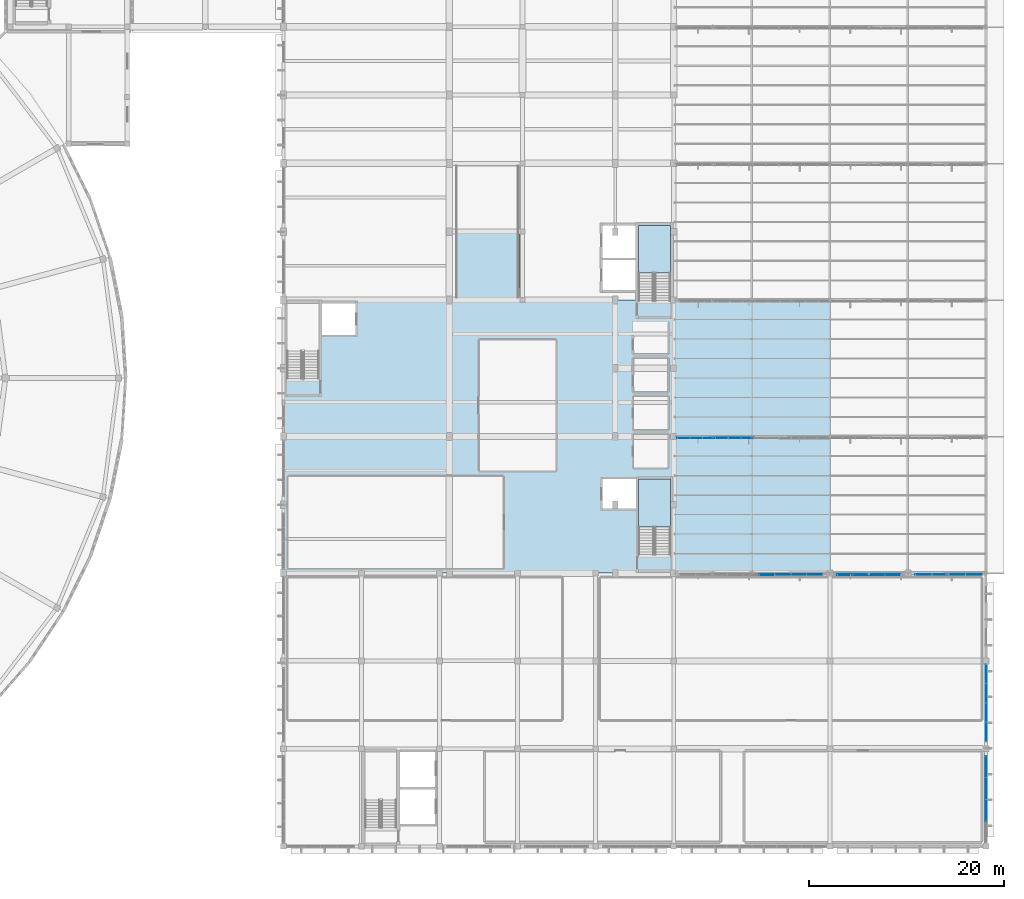
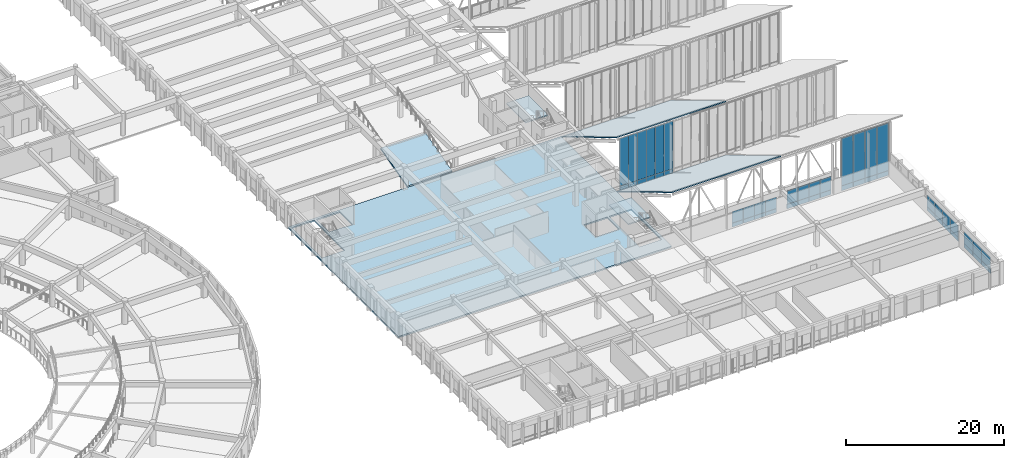
# One storey, part 78 of 155: 50 plates, 6 slabs, 12 elements without a shape of their own.
"""IFC4 building model written with IfcOpenShell, lengths in metres."""

from ifc_helpers import new_model, si_unit, direction, frame, origin, origin_2d, place, context, subcontext, project, spatial, polyline, rectangle, outline, extrude, material, layer, layer_set, type_object, element, aggregate, save


model = new_model("IFC4")

# Units and contexts
model_context = context("Model", 3, precision=1e-05, world=origin(), true_north=direction((0.0, 1.0)))
body_context = subcontext(model_context, "Body", "Model", "MODEL_VIEW")
ifc_project = project(units=[si_unit("LENGTHUNIT", "METRE"), si_unit("AREAUNIT", "SQUARE_METRE"), si_unit("VOLUMEUNIT", "CUBIC_METRE"), si_unit("PLANEANGLEUNIT", "RADIAN"), si_unit("MASSUNIT", "GRAM", prefix="KILO")], contexts=[model_context])

# Site, building, storey
site_placement = place(None, origin())
site = spatial("IfcSite", under=ifc_project, at=site_placement, CompositionType="ELEMENT")
building_placement = place(site_placement, origin())
building = spatial("IfcBuilding", under=site, at=building_placement, Name="Larkveld Mobility Hub", CompositionType="ELEMENT")
storey_placement = place(building_placement, frame((0.0, 0.0, 8.39990234375)))
storey = spatial("IfcBuildingStorey", under=building, at=storey_placement, Name="L02", CompositionType="ELEMENT", Elevation=8.39990234375)

# Curtain wall, plate
ifc_material_1 = material(Name="Anodised aluminium 6063-T6", Category="aluminium")
curtain_wall_type_1 = type_object("IfcCurtainWallType", Name="CW-SYS-10", PredefinedType="NOTDEFINED", material=ifc_material_1)
curtain_wall_1_placement = place(storey_placement, origin())
curtain_wall_1 = element("IfcCurtainWall", 1, at=curtain_wall_1_placement, inside=storey, type_object=curtain_wall_type_1, Name="Sawtooth South-Light Clerestory B1 CW-010", PredefinedType="NOTDEFINED")
ifc_material_2 = material(Name="Low-E laminated solar-control double glazing", Category="glass")
ifc_layer_1 = layer(ifc_material_2, 0.028076171875, Name="Low-E laminated solar-control double glazing", Category="glass")
ifc_layer_set_1 = layer_set([ifc_layer_1], Name="Low-E laminated solar-control double glazing")
plate_type_1 = type_object("IfcPlateType", Name="CW-PNL-GL01", PredefinedType="CURTAIN_PANEL", material=ifc_layer_set_1)
plate_1_placement = place(storey_placement, frame((161.541015625, 27.844970703125, 0.60205078125), z_axis=(0.0, 0.0, 1.0), x_axis=(1.0, 0.0, 0.0)))
plate_1 = element("IfcPlate", 2, at=plate_1_placement, type_object=plate_type_1, Name="CW10 panel 3", PredefinedType="CURTAIN_PANEL", context=body_context, shape_type="SweptSolid", body=[
    extrude(rectangle(XDim=1.60107421875, YDim=0.028076171875, at=origin_2d()), origin(), (0.0, 0.0, 1.0), 1.77587890625),
])

# Curtain wall, plates
curtain_wall_type_2 = type_object("IfcCurtainWallType", Name="CW-SYS-01", PredefinedType="NOTDEFINED", material=ifc_material_1)
curtain_wall_2_placement = place(storey_placement, origin())
curtain_wall_2 = element("IfcCurtainWall", 3, at=curtain_wall_2_placement, inside=storey, type_object=curtain_wall_type_2, Name="Sawtooth South-Light Clerestory B1 CW-013", PredefinedType="NOTDEFINED")
plate_2_placement = place(storey_placement, frame((177.614013671875, 27.844970703125, 0.75), z_axis=(0.0, 0.0, 1.0), x_axis=(1.0, 0.0, 0.0)))
plate_2 = element("IfcPlate", 4, at=plate_2_placement, type_object=plate_type_1, Name="CW01 panel 1", PredefinedType="CURTAIN_PANEL", context=body_context, shape_type="SweptSolid", body=[
    extrude(rectangle(XDim=1.697998046875, YDim=0.028076171875, at=origin_2d()), origin(), (0.0, 0.0, 1.0), 7.367919921875),
])
plate_3_placement = place(storey_placement, frame((179.33203125, 27.844970703125, 0.75), z_axis=(0.0, 0.0, 1.0), x_axis=(1.0, 0.0, 0.0)))
plate_3 = element("IfcPlate", 5, at=plate_3_placement, type_object=plate_type_1, Name="CW01 panel 2", PredefinedType="CURTAIN_PANEL", context=body_context, shape_type="SweptSolid", body=[
    extrude(rectangle(XDim=1.718017578125, YDim=0.028076171875, at=origin_2d()), origin(), (0.0, 0.0, 1.0), 7.367919921875),
])
plate_4_placement = place(storey_placement, frame((181.05908203125, 27.844970703125, 0.75), z_axis=(0.0, 0.0, 1.0), x_axis=(1.0, 0.0, 0.0)))
plate_4 = element("IfcPlate", 6, at=plate_4_placement, type_object=plate_type_1, Name="CW01 panel 3", PredefinedType="CURTAIN_PANEL", context=body_context, shape_type="SweptSolid", body=[
    extrude(rectangle(XDim=1.718017578125, YDim=0.028076171875, at=origin_2d()), origin(), (0.0, 0.0, 1.0), 7.367919921875),
])
plate_5_placement = place(storey_placement, frame((182.77587890625, 27.844970703125, 0.75), z_axis=(0.0, 0.0, 1.0), x_axis=(1.0, 0.0, 0.0)))
plate_5 = element("IfcPlate", 7, at=plate_5_placement, type_object=plate_type_1, Name="CW01 panel 4", PredefinedType="CURTAIN_PANEL", context=body_context, shape_type="SweptSolid", body=[
    extrude(rectangle(XDim=1.697998046875, YDim=0.028076171875, at=origin_2d()), origin(), (0.0, 0.0, 1.0), 7.367919921875),
])

curtain_wall_3_placement = place(storey_placement, origin())
curtain_wall_3 = element("IfcCurtainWall", 8, at=curtain_wall_3_placement, inside=storey, type_object=curtain_wall_type_2, Name="Service Wing East Curtain Wall L02 CW-109", PredefinedType="NOTDEFINED")
plate_6_placement = place(storey_placement, frame((184.0, 11.739013671875, 0.614013671875), z_axis=(0.0, 0.0, 1.0), x_axis=(0.0, 1.0, 0.0)))
plate_6 = element("IfcPlate", 9, at=plate_6_placement, type_object=plate_type_1, Name="CW01 panel 1", PredefinedType="CURTAIN_PANEL", context=body_context, shape_type="SweptSolid", body=[
    extrude(rectangle(XDim=1.947998046875, YDim=0.028076171875, at=origin_2d()), origin(), (0.0, 0.0, 1.0), 1.81396484375),
])
plate_7_placement = place(storey_placement, frame((184.0, 13.7060546875, 0.614013671875), z_axis=(0.0, 0.0, 1.0), x_axis=(0.0, 1.0, 0.0)))
plate_7 = element("IfcPlate", 10, at=plate_7_placement, type_object=plate_type_1, Name="CW01 panel 2", PredefinedType="CURTAIN_PANEL", context=body_context, shape_type="SweptSolid", body=[
    extrude(rectangle(XDim=1.968017578125, YDim=0.028076171875, at=origin_2d()), origin(), (0.0, 0.0, 1.0), 1.81396484375),
])
plate_8_placement = place(storey_placement, frame((184.0, 15.68408203125, 0.614013671875), z_axis=(0.0, 0.0, 1.0), x_axis=(0.0, 1.0, 0.0)))
plate_8 = element("IfcPlate", 11, at=plate_8_placement, type_object=plate_type_1, Name="CW01 panel 3", PredefinedType="CURTAIN_PANEL", context=body_context, shape_type="SweptSolid", body=[
    extrude(rectangle(XDim=1.968017578125, YDim=0.028076171875, at=origin_2d()), origin(), (0.0, 0.0, 1.0), 1.81396484375),
])
plate_9_placement = place(storey_placement, frame((184.0, 17.65087890625, 0.614013671875), z_axis=(0.0, 0.0, 1.0), x_axis=(0.0, 1.0, 0.0)))
plate_9 = element("IfcPlate", 12, at=plate_9_placement, type_object=plate_type_1, Name="CW01 panel 4", PredefinedType="CURTAIN_PANEL", context=body_context, shape_type="SweptSolid", body=[
    extrude(rectangle(XDim=1.947998046875, YDim=0.028076171875, at=origin_2d()), origin(), (0.0, 0.0, 1.0), 1.81396484375),
])

curtain_wall_type_3 = type_object("IfcCurtainWallType", Name="CW-SYS-11", PredefinedType="NOTDEFINED", material=ifc_material_1)
curtain_wall_4_placement = place(storey_placement, origin())
curtain_wall_4 = element("IfcCurtainWall", 13, at=curtain_wall_4_placement, inside=storey, type_object=curtain_wall_type_3, Name="Sawtooth South-Light Clerestory B1 CW-011", PredefinedType="NOTDEFINED")
ifc_material_3 = material(Name="Acoustic solar-control laminated double glazing", Category="glass")
ifc_layer_2 = layer(ifc_material_3, 0.031982421875, Name="Acoustic solar-control laminated double glazing", Category="glass")
ifc_layer_set_2 = layer_set([ifc_layer_2], Name="Acoustic solar-control laminated double glazing")
plate_type_2 = type_object("IfcPlateType", Name="CW-PNL-GL02", PredefinedType="CURTAIN_PANEL", material=ifc_layer_set_2)
plate_10_placement = place(storey_placement, frame((163.19189453125, 27.844970703125, 0.60205078125), z_axis=(0.0, 0.0, 1.0), x_axis=(1.0, 0.0, 0.0)))
plate_10 = element("IfcPlate", 14, at=plate_10_placement, type_object=plate_type_2, Name="CW11 panel 1", PredefinedType="CURTAIN_PANEL", context=body_context, shape_type="SweptSolid", body=[
    extrude(rectangle(XDim=1.60107421875, YDim=0.031982421875, at=origin_2d()), origin(), (0.0, 0.0, 1.0), 1.77587890625),
])
plate_11_placement = place(storey_placement, frame((164.81396484375, 27.844970703125, 0.60205078125), z_axis=(0.0, 0.0, 1.0), x_axis=(1.0, 0.0, 0.0)))
plate_11 = element("IfcPlate", 15, at=plate_11_placement, type_object=plate_type_2, Name="CW11 panel 2", PredefinedType="CURTAIN_PANEL", context=body_context, shape_type="SweptSolid", body=[
    extrude(rectangle(XDim=1.62109375, YDim=0.031982421875, at=origin_2d()), origin(), (0.0, 0.0, 1.0), 1.77587890625),
])
plate_12_placement = place(storey_placement, frame((166.43505859375, 27.844970703125, 0.60205078125), z_axis=(0.0, 0.0, 1.0), x_axis=(1.0, 0.0, 0.0)))
plate_12 = element("IfcPlate", 16, at=plate_12_placement, type_object=plate_type_2, Name="CW11 panel 3", PredefinedType="CURTAIN_PANEL", context=body_context, shape_type="SweptSolid", body=[
    extrude(rectangle(XDim=1.60107421875, YDim=0.031982421875, at=origin_2d()), origin(), (0.0, 0.0, 1.0), 1.77587890625),
])

curtain_wall_type_4 = type_object("IfcCurtainWallType", Name="CW-SYS-02", PredefinedType="NOTDEFINED", material=ifc_material_1)
curtain_wall_5_placement = place(storey_placement, origin())
curtain_wall_5 = element("IfcCurtainWall", 17, at=curtain_wall_5_placement, inside=storey, type_object=curtain_wall_type_4, Name="Sawtooth South-Light Clerestory B2 CW-014", PredefinedType="NOTDEFINED")
plate_13_placement = place(storey_placement, frame((153.011962890625, 41.844970703125, 0.75), z_axis=(0.0, 0.0, 1.0), x_axis=(1.0, 0.0, 0.0)))
plate_13 = element("IfcPlate", 18, at=plate_13_placement, type_object=plate_type_2, Name="CW02 panel 1", PredefinedType="CURTAIN_PANEL", context=body_context, shape_type="SweptSolid", body=[
    extrude(rectangle(XDim=1.27392578125, YDim=0.031982421875, at=origin_2d()), origin(), (0.0, 0.0, 1.0), 7.367919921875),
])
plate_14_placement = place(storey_placement, frame((154.305908203125, 41.844970703125, 0.75), z_axis=(0.0, 0.0, 1.0), x_axis=(1.0, 0.0, 0.0)))
plate_14 = element("IfcPlate", 19, at=plate_14_placement, type_object=plate_type_2, Name="CW02 panel 2", PredefinedType="CURTAIN_PANEL", context=body_context, shape_type="SweptSolid", body=[
    extrude(rectangle(XDim=1.2939453125, YDim=0.031982421875, at=origin_2d()), origin(), (0.0, 0.0, 1.0), 7.367919921875),
])
plate_15_placement = place(storey_placement, frame((155.611083984375, 41.844970703125, 0.75), z_axis=(0.0, 0.0, 1.0), x_axis=(1.0, 0.0, 0.0)))
plate_15 = element("IfcPlate", 20, at=plate_15_placement, type_object=plate_type_2, Name="CW02 panel 3", PredefinedType="CURTAIN_PANEL", context=body_context, shape_type="SweptSolid", body=[
    extrude(rectangle(XDim=1.2939453125, YDim=0.031982421875, at=origin_2d()), origin(), (0.0, 0.0, 1.0), 7.367919921875),
])
plate_16_placement = place(storey_placement, frame((156.905029296875, 41.844970703125, 0.75), z_axis=(0.0, 0.0, 1.0), x_axis=(1.0, 0.0, 0.0)))
plate_16 = element("IfcPlate", 21, at=plate_16_placement, type_object=plate_type_2, Name="CW02 panel 4", PredefinedType="CURTAIN_PANEL", context=body_context, shape_type="SweptSolid", body=[
    extrude(rectangle(XDim=1.27392578125, YDim=0.031982421875, at=origin_2d()), origin(), (0.0, 0.0, 1.0), 7.367919921875),
])

curtain_wall_type_5 = type_object("IfcCurtainWallType", Name="CW-SYS-12", PredefinedType="NOTDEFINED", material=ifc_material_1)
curtain_wall_6_placement = place(storey_placement, origin())
curtain_wall_6 = element("IfcCurtainWall", 22, at=curtain_wall_6_placement, inside=storey, type_object=curtain_wall_type_5, Name="Sawtooth South-Light Clerestory B1 CW-012", PredefinedType="NOTDEFINED")
ifc_material_4 = material(Name="Tinted safety double glazing", Category="glass")
ifc_layer_3 = layer(ifc_material_4, 0.035888671875, Name="Tinted safety double glazing", Category="glass")
ifc_layer_set_3 = layer_set([ifc_layer_3], Name="Tinted safety double glazing")
plate_type_3 = type_object("IfcPlateType", Name="CW-PNL-GL03", PredefinedType="CURTAIN_PANEL", material=ifc_layer_set_3)
plate_17_placement = place(storey_placement, frame((169.56494140625, 27.844970703125, 0.7021484375), z_axis=(0.0, 0.0, 1.0), x_axis=(1.0, 0.0, 0.0)))
plate_17 = element("IfcPlate", 23, at=plate_17_placement, type_object=plate_type_3, Name="CW12 panel 1", PredefinedType="CURTAIN_PANEL", context=body_context, shape_type="SweptSolid", body=[
    extrude(rectangle(XDim=1.60009765625, YDim=0.035888671875, at=origin_2d()), origin(), (0.0, 0.0, 1.0), 2.075927734375),
])
plate_18_placement = place(storey_placement, frame((171.18505859375, 27.844970703125, 0.7021484375), z_axis=(0.0, 0.0, 1.0), x_axis=(1.0, 0.0, 0.0)))
plate_18 = element("IfcPlate", 24, at=plate_18_placement, type_object=plate_type_3, Name="CW12 panel 2", PredefinedType="CURTAIN_PANEL", context=body_context, shape_type="SweptSolid", body=[
    extrude(rectangle(XDim=1.6201171875, YDim=0.035888671875, at=origin_2d()), origin(), (0.0, 0.0, 1.0), 2.075927734375),
])
plate_19_placement = place(storey_placement, frame((172.81494140625, 27.844970703125, 0.7021484375), z_axis=(0.0, 0.0, 1.0), x_axis=(1.0, 0.0, 0.0)))
plate_19 = element("IfcPlate", 25, at=plate_19_placement, type_object=plate_type_3, Name="CW12 panel 3", PredefinedType="CURTAIN_PANEL", context=body_context, shape_type="SweptSolid", body=[
    extrude(rectangle(XDim=1.6201171875, YDim=0.035888671875, at=origin_2d()), origin(), (0.0, 0.0, 1.0), 2.075927734375),
])
plate_20_placement = place(storey_placement, frame((174.43505859375, 27.844970703125, 0.7021484375), z_axis=(0.0, 0.0, 1.0), x_axis=(1.0, 0.0, 0.0)))
plate_20 = element("IfcPlate", 26, at=plate_20_placement, type_object=plate_type_3, Name="CW12 panel 4", PredefinedType="CURTAIN_PANEL", context=body_context, shape_type="SweptSolid", body=[
    extrude(rectangle(XDim=1.60009765625, YDim=0.035888671875, at=origin_2d()), origin(), (0.0, 0.0, 1.0), 2.075927734375),
])

curtain_wall_type_6 = type_object("IfcCurtainWallType", Name="CW-SYS-03", PredefinedType="NOTDEFINED", material=ifc_material_1)
curtain_wall_7_placement = place(storey_placement, origin())
curtain_wall_7 = element("IfcCurtainWall", 27, at=curtain_wall_7_placement, inside=storey, type_object=curtain_wall_type_6, Name="Sawtooth South-Light Clerestory B2 CW-015", PredefinedType="NOTDEFINED")
plate_21_placement = place(storey_placement, frame((158.22900390625, 41.844970703125, 0.75), z_axis=(0.0, 0.0, 1.0), x_axis=(1.0, 0.0, 0.0)))
plate_21 = element("IfcPlate", 28, at=plate_21_placement, type_object=plate_type_3, Name="CW03 panel 1", PredefinedType="CURTAIN_PANEL", context=body_context, shape_type="SweptSolid", body=[
    extrude(rectangle(XDim=1.27392578125, YDim=0.035888671875, at=origin_2d()), origin(), (0.0, 0.0, 1.0), 7.367919921875),
])
plate_22_placement = place(storey_placement, frame((159.52294921875, 41.844970703125, 0.75), z_axis=(0.0, 0.0, 1.0), x_axis=(1.0, 0.0, 0.0)))
plate_22 = element("IfcPlate", 29, at=plate_22_placement, type_object=plate_type_3, Name="CW03 panel 2", PredefinedType="CURTAIN_PANEL", context=body_context, shape_type="SweptSolid", body=[
    extrude(rectangle(XDim=1.2939453125, YDim=0.035888671875, at=origin_2d()), origin(), (0.0, 0.0, 1.0), 7.367919921875),
])

curtain_wall_8_placement = place(storey_placement, origin())
curtain_wall_8 = element("IfcCurtainWall", 30, at=curtain_wall_8_placement, inside=storey, type_object=curtain_wall_type_5, Name="Service Wing East Curtain Wall L02 CW-108", PredefinedType="NOTDEFINED")
plate_23_placement = place(storey_placement, frame((184.0, 3.69189453125, 0.614013671875), z_axis=(0.0, 0.0, 1.0), x_axis=(0.0, 1.0, 0.0)))
plate_23 = element("IfcPlate", 31, at=plate_23_placement, type_object=plate_type_3, Name="CW12 panel 2", PredefinedType="CURTAIN_PANEL", context=body_context, shape_type="SweptSolid", body=[
    extrude(rectangle(XDim=2.218017578125, YDim=0.035888671875, at=origin_2d()), origin(), (0.0, 0.0, 1.0), 1.81396484375),
])
plate_24_placement = place(storey_placement, frame((184.0, 5.9189453125, 0.614013671875), z_axis=(0.0, 0.0, 1.0), x_axis=(0.0, 1.0, 0.0)))
plate_24 = element("IfcPlate", 32, at=plate_24_placement, type_object=plate_type_3, Name="CW12 panel 3", PredefinedType="CURTAIN_PANEL", context=body_context, shape_type="SweptSolid", body=[
    extrude(rectangle(XDim=2.218017578125, YDim=0.035888671875, at=origin_2d()), origin(), (0.0, 0.0, 1.0), 1.81396484375),
])
plate_25_placement = place(storey_placement, frame((184.0, 8.135986328125, 0.614013671875), z_axis=(0.0, 0.0, 1.0), x_axis=(0.0, 1.0, 0.0)))
plate_25 = element("IfcPlate", 33, at=plate_25_placement, type_object=plate_type_3, Name="CW12 panel 4", PredefinedType="CURTAIN_PANEL", context=body_context, shape_type="SweptSolid", body=[
    extrude(rectangle(XDim=2.197998046875, YDim=0.035888671875, at=origin_2d()), origin(), (0.0, 0.0, 1.0), 1.81396484375),
])

# Plate
ifc_material_5 = material(Name="Insulated fluoropolymer aluminium spandrel", Category="aluminium")
ifc_layer_4 = layer(ifc_material_5, 0.06494140625, Name="Insulated fluoropolymer aluminium spandrel", Category="aluminium")
ifc_layer_set_4 = layer_set([ifc_layer_4], Name="Insulated fluoropolymer aluminium spandrel")
plate_type_4 = type_object("IfcPlateType", Name="CW-PNL-SP01", PredefinedType="CURTAIN_PANEL", material=ifc_layer_set_4)
plate_26_placement = place(storey_placement, frame((163.19189453125, 27.844970703125, 0.0), z_axis=(0.0, 0.0, 1.0), x_axis=(1.0, 0.0, 0.0)))
plate_26 = element("IfcPlate", 34, at=plate_26_placement, type_object=plate_type_4, Name="CW11 spandrel 1", PredefinedType="CURTAIN_PANEL", context=body_context, shape_type="SweptSolid", body=[
    extrude(rectangle(XDim=1.60107421875, YDim=0.06494140625, at=origin_2d()), origin(), (0.0, 0.0, 1.0), 0.590087890625),
])

plate_27_placement = place(storey_placement, frame((164.81396484375, 27.844970703125, 0.0), z_axis=(0.0, 0.0, 1.0), x_axis=(1.0, 0.0, 0.0)))
plate_27 = element("IfcPlate", 35, at=plate_27_placement, type_object=plate_type_4, Name="CW11 spandrel 2", PredefinedType="CURTAIN_PANEL", context=body_context, shape_type="SweptSolid", body=[
    extrude(rectangle(XDim=1.62109375, YDim=0.06494140625, at=origin_2d()), origin(), (0.0, 0.0, 1.0), 0.590087890625),
])

plate_28_placement = place(storey_placement, frame((166.43505859375, 27.844970703125, 0.0), z_axis=(0.0, 0.0, 1.0), x_axis=(1.0, 0.0, 0.0)))
plate_28 = element("IfcPlate", 36, at=plate_28_placement, type_object=plate_type_4, Name="CW11 spandrel 3", PredefinedType="CURTAIN_PANEL", context=body_context, shape_type="SweptSolid", body=[
    extrude(rectangle(XDim=1.60107421875, YDim=0.06494140625, at=origin_2d()), origin(), (0.0, 0.0, 1.0), 0.590087890625),
])

aggregate(curtain_wall_4, [plate_26, plate_10, plate_27, plate_11, plate_28, plate_12])

plate_29_placement = place(storey_placement, frame((177.614013671875, 27.844970703125, 0.0), z_axis=(0.0, 0.0, 1.0), x_axis=(1.0, 0.0, 0.0)))
plate_29 = element("IfcPlate", 37, at=plate_29_placement, type_object=plate_type_4, Name="CW01 spandrel 1", PredefinedType="CURTAIN_PANEL", context=body_context, shape_type="SweptSolid", body=[
    extrude(rectangle(XDim=1.697998046875, YDim=0.06494140625, at=origin_2d()), origin(), (0.0, 0.0, 1.0), 0.738037109375),
])

plate_30_placement = place(storey_placement, frame((179.33203125, 27.844970703125, 0.0), z_axis=(0.0, 0.0, 1.0), x_axis=(1.0, 0.0, 0.0)))
plate_30 = element("IfcPlate", 38, at=plate_30_placement, type_object=plate_type_4, Name="CW01 spandrel 2", PredefinedType="CURTAIN_PANEL", context=body_context, shape_type="SweptSolid", body=[
    extrude(rectangle(XDim=1.718017578125, YDim=0.06494140625, at=origin_2d()), origin(), (0.0, 0.0, 1.0), 0.738037109375),
])

plate_31_placement = place(storey_placement, frame((181.05908203125, 27.844970703125, 0.0), z_axis=(0.0, 0.0, 1.0), x_axis=(1.0, 0.0, 0.0)))
plate_31 = element("IfcPlate", 39, at=plate_31_placement, type_object=plate_type_4, Name="CW01 spandrel 3", PredefinedType="CURTAIN_PANEL", context=body_context, shape_type="SweptSolid", body=[
    extrude(rectangle(XDim=1.718017578125, YDim=0.06494140625, at=origin_2d()), origin(), (0.0, 0.0, 1.0), 0.738037109375),
])

plate_32_placement = place(storey_placement, frame((182.77587890625, 27.844970703125, 0.0), z_axis=(0.0, 0.0, 1.0), x_axis=(1.0, 0.0, 0.0)))
plate_32 = element("IfcPlate", 40, at=plate_32_placement, type_object=plate_type_4, Name="CW01 spandrel 4", PredefinedType="CURTAIN_PANEL", context=body_context, shape_type="SweptSolid", body=[
    extrude(rectangle(XDim=1.697998046875, YDim=0.06494140625, at=origin_2d()), origin(), (0.0, 0.0, 1.0), 0.738037109375),
])

aggregate(curtain_wall_2, [plate_29, plate_2, plate_30, plate_3, plate_31, plate_4, plate_32, plate_5])

plate_33_placement = place(storey_placement, frame((158.22900390625, 41.844970703125, 0.0), z_axis=(0.0, 0.0, 1.0), x_axis=(1.0, 0.0, 0.0)))
plate_33 = element("IfcPlate", 41, at=plate_33_placement, type_object=plate_type_4, Name="CW03 spandrel 1", PredefinedType="CURTAIN_PANEL", context=body_context, shape_type="SweptSolid", body=[
    extrude(rectangle(XDim=1.27392578125, YDim=0.06494140625, at=origin_2d()), origin(), (0.0, 0.0, 1.0), 0.738037109375),
])

plate_34_placement = place(storey_placement, frame((159.52294921875, 41.844970703125, 0.0), z_axis=(0.0, 0.0, 1.0), x_axis=(1.0, 0.0, 0.0)))
plate_34 = element("IfcPlate", 42, at=plate_34_placement, type_object=plate_type_4, Name="CW03 spandrel 2", PredefinedType="CURTAIN_PANEL", context=body_context, shape_type="SweptSolid", body=[
    extrude(rectangle(XDim=1.2939453125, YDim=0.06494140625, at=origin_2d()), origin(), (0.0, 0.0, 1.0), 0.738037109375),
])

aggregate(curtain_wall_7, [plate_33, plate_21, plate_34, plate_22])

plate_35_placement = place(storey_placement, frame((184.0, 11.739013671875, -0.00048828125), z_axis=(0.0, 0.0, 1.0), x_axis=(0.0, 1.0, 0.0)))
plate_35 = element("IfcPlate", 43, at=plate_35_placement, type_object=plate_type_4, Name="CW01 spandrel 1", PredefinedType="CURTAIN_PANEL", context=body_context, shape_type="SweptSolid", body=[
    extrude(rectangle(XDim=1.947998046875, YDim=0.06494140625, at=origin_2d()), origin(), (0.0, 0.0, 1.0), 0.60302734375),
])

plate_36_placement = place(storey_placement, frame((184.0, 13.7060546875, -0.00048828125), z_axis=(0.0, 0.0, 1.0), x_axis=(0.0, 1.0, 0.0)))
plate_36 = element("IfcPlate", 44, at=plate_36_placement, type_object=plate_type_4, Name="CW01 spandrel 2", PredefinedType="CURTAIN_PANEL", context=body_context, shape_type="SweptSolid", body=[
    extrude(rectangle(XDim=1.968017578125, YDim=0.06494140625, at=origin_2d()), origin(), (0.0, 0.0, 1.0), 0.60302734375),
])

plate_37_placement = place(storey_placement, frame((184.0, 15.68408203125, -0.00048828125), z_axis=(0.0, 0.0, 1.0), x_axis=(0.0, 1.0, 0.0)))
plate_37 = element("IfcPlate", 45, at=plate_37_placement, type_object=plate_type_4, Name="CW01 spandrel 3", PredefinedType="CURTAIN_PANEL", context=body_context, shape_type="SweptSolid", body=[
    extrude(rectangle(XDim=1.968017578125, YDim=0.06494140625, at=origin_2d()), origin(), (0.0, 0.0, 1.0), 0.60302734375),
])

plate_38_placement = place(storey_placement, frame((184.0, 17.65087890625, -0.00048828125), z_axis=(0.0, 0.0, 1.0), x_axis=(0.0, 1.0, 0.0)))
plate_38 = element("IfcPlate", 46, at=plate_38_placement, type_object=plate_type_4, Name="CW01 spandrel 4", PredefinedType="CURTAIN_PANEL", context=body_context, shape_type="SweptSolid", body=[
    extrude(rectangle(XDim=1.947998046875, YDim=0.06494140625, at=origin_2d()), origin(), (0.0, 0.0, 1.0), 0.60302734375),
])

aggregate(curtain_wall_3, [plate_35, plate_6, plate_36, plate_7, plate_37, plate_8, plate_38, plate_9])

ifc_material_6 = material(Name="Insulated terracotta-toned aluminium spandrel", Category="masonry")
ifc_layer_5 = layer(ifc_material_6, 0.080078125, Name="Insulated terracotta-toned aluminium spandrel", Category="masonry")
ifc_layer_set_5 = layer_set([ifc_layer_5], Name="Insulated terracotta-toned aluminium spandrel")
plate_type_5 = type_object("IfcPlateType", Name="CW-PNL-SP02", PredefinedType="CURTAIN_PANEL", material=ifc_layer_set_5)
plate_39_placement = place(storey_placement, frame((161.541015625, 27.844970703125, 0.0), z_axis=(0.0, 0.0, 1.0), x_axis=(1.0, 0.0, 0.0)))
plate_39 = element("IfcPlate", 47, at=plate_39_placement, type_object=plate_type_5, Name="CW10 spandrel 3", PredefinedType="CURTAIN_PANEL", context=body_context, shape_type="SweptSolid", body=[
    extrude(rectangle(XDim=1.60107421875, YDim=0.080078125, at=origin_2d()), origin(), (0.0, 0.0, 1.0), 0.590087890625),
])

aggregate(curtain_wall_1, [plate_39, plate_1])

plate_40_placement = place(storey_placement, frame((169.56494140625, 27.844970703125, 0.000244140625), z_axis=(0.0, 0.0, 1.0), x_axis=(1.0, 0.0, 0.0)))
plate_40 = element("IfcPlate", 48, at=plate_40_placement, type_object=plate_type_5, Name="CW12 spandrel 1", PredefinedType="CURTAIN_PANEL", context=body_context, shape_type="SweptSolid", body=[
    extrude(rectangle(XDim=1.60009765625, YDim=0.080078125, at=origin_2d()), origin(), (0.0, 0.0, 1.0), 0.68994140625),
])

plate_41_placement = place(storey_placement, frame((171.18505859375, 27.844970703125, 0.000244140625), z_axis=(0.0, 0.0, 1.0), x_axis=(1.0, 0.0, 0.0)))
plate_41 = element("IfcPlate", 49, at=plate_41_placement, type_object=plate_type_5, Name="CW12 spandrel 2", PredefinedType="CURTAIN_PANEL", context=body_context, shape_type="SweptSolid", body=[
    extrude(rectangle(XDim=1.6201171875, YDim=0.080078125, at=origin_2d()), origin(), (0.0, 0.0, 1.0), 0.68994140625),
])

plate_42_placement = place(storey_placement, frame((172.81494140625, 27.844970703125, 0.000244140625), z_axis=(0.0, 0.0, 1.0), x_axis=(1.0, 0.0, 0.0)))
plate_42 = element("IfcPlate", 50, at=plate_42_placement, type_object=plate_type_5, Name="CW12 spandrel 3", PredefinedType="CURTAIN_PANEL", context=body_context, shape_type="SweptSolid", body=[
    extrude(rectangle(XDim=1.6201171875, YDim=0.080078125, at=origin_2d()), origin(), (0.0, 0.0, 1.0), 0.68994140625),
])

plate_43_placement = place(storey_placement, frame((174.43505859375, 27.844970703125, 0.000244140625), z_axis=(0.0, 0.0, 1.0), x_axis=(1.0, 0.0, 0.0)))
plate_43 = element("IfcPlate", 51, at=plate_43_placement, type_object=plate_type_5, Name="CW12 spandrel 4", PredefinedType="CURTAIN_PANEL", context=body_context, shape_type="SweptSolid", body=[
    extrude(rectangle(XDim=1.60009765625, YDim=0.080078125, at=origin_2d()), origin(), (0.0, 0.0, 1.0), 0.68994140625),
])

aggregate(curtain_wall_6, [plate_40, plate_17, plate_41, plate_18, plate_42, plate_19, plate_43, plate_20])

plate_44_placement = place(storey_placement, frame((153.011962890625, 41.844970703125, 0.0), z_axis=(0.0, 0.0, 1.0), x_axis=(1.0, 0.0, 0.0)))
plate_44 = element("IfcPlate", 52, at=plate_44_placement, type_object=plate_type_5, Name="CW02 spandrel 1", PredefinedType="CURTAIN_PANEL", context=body_context, shape_type="SweptSolid", body=[
    extrude(rectangle(XDim=1.27392578125, YDim=0.080078125, at=origin_2d()), origin(), (0.0, 0.0, 1.0), 0.738037109375),
])

plate_45_placement = place(storey_placement, frame((154.305908203125, 41.844970703125, 0.0), z_axis=(0.0, 0.0, 1.0), x_axis=(1.0, 0.0, 0.0)))
plate_45 = element("IfcPlate", 53, at=plate_45_placement, type_object=plate_type_5, Name="CW02 spandrel 2", PredefinedType="CURTAIN_PANEL", context=body_context, shape_type="SweptSolid", body=[
    extrude(rectangle(XDim=1.2939453125, YDim=0.080078125, at=origin_2d()), origin(), (0.0, 0.0, 1.0), 0.738037109375),
])

plate_46_placement = place(storey_placement, frame((155.611083984375, 41.844970703125, 0.0), z_axis=(0.0, 0.0, 1.0), x_axis=(1.0, 0.0, 0.0)))
plate_46 = element("IfcPlate", 54, at=plate_46_placement, type_object=plate_type_5, Name="CW02 spandrel 3", PredefinedType="CURTAIN_PANEL", context=body_context, shape_type="SweptSolid", body=[
    extrude(rectangle(XDim=1.2939453125, YDim=0.080078125, at=origin_2d()), origin(), (0.0, 0.0, 1.0), 0.738037109375),
])

plate_47_placement = place(storey_placement, frame((156.905029296875, 41.844970703125, 0.0), z_axis=(0.0, 0.0, 1.0), x_axis=(1.0, 0.0, 0.0)))
plate_47 = element("IfcPlate", 55, at=plate_47_placement, type_object=plate_type_5, Name="CW02 spandrel 4", PredefinedType="CURTAIN_PANEL", context=body_context, shape_type="SweptSolid", body=[
    extrude(rectangle(XDim=1.27392578125, YDim=0.080078125, at=origin_2d()), origin(), (0.0, 0.0, 1.0), 0.738037109375),
])

aggregate(curtain_wall_5, [plate_44, plate_13, plate_45, plate_14, plate_46, plate_15, plate_47, plate_16])

plate_48_placement = place(storey_placement, frame((184.0, 3.69189453125, -0.00048828125), z_axis=(0.0, 0.0, 1.0), x_axis=(0.0, 1.0, 0.0)))
plate_48 = element("IfcPlate", 56, at=plate_48_placement, type_object=plate_type_5, Name="CW12 spandrel 2", PredefinedType="CURTAIN_PANEL", context=body_context, shape_type="SweptSolid", body=[
    extrude(rectangle(XDim=2.218017578125, YDim=0.080078125, at=origin_2d()), origin(), (0.0, 0.0, 1.0), 0.60302734375),
])

plate_49_placement = place(storey_placement, frame((184.0, 5.9189453125, -0.00048828125), z_axis=(0.0, 0.0, 1.0), x_axis=(0.0, 1.0, 0.0)))
plate_49 = element("IfcPlate", 57, at=plate_49_placement, type_object=plate_type_5, Name="CW12 spandrel 3", PredefinedType="CURTAIN_PANEL", context=body_context, shape_type="SweptSolid", body=[
    extrude(rectangle(XDim=2.218017578125, YDim=0.080078125, at=origin_2d()), origin(), (0.0, 0.0, 1.0), 0.60302734375),
])

plate_50_placement = place(storey_placement, frame((184.0, 8.135986328125, -0.00048828125), z_axis=(0.0, 0.0, 1.0), x_axis=(0.0, 1.0, 0.0)))
plate_50 = element("IfcPlate", 58, at=plate_50_placement, type_object=plate_type_5, Name="CW12 spandrel 4", PredefinedType="CURTAIN_PANEL", context=body_context, shape_type="SweptSolid", body=[
    extrude(rectangle(XDim=2.197998046875, YDim=0.080078125, at=origin_2d()), origin(), (0.0, 0.0, 1.0), 0.60302734375),
])

aggregate(curtain_wall_8, [plate_48, plate_23, plate_49, plate_24, plate_50, plate_25])

# Slab
ifc_material_7 = material(Name="Concrete C40/50", Category="concrete")
ifc_layer_6 = layer(ifc_material_7, 0.215087890625, Name="Concrete C40/50", Category="concrete")
ifc_layer_set_6 = layer_set([ifc_layer_6], Name="Concrete C40/50")
slab_type_1 = type_object("IfcSlabType", Name="SL-DT-215", PredefinedType="FLOOR", material=ifc_layer_set_6)
slab_1_placement = place(storey_placement, frame((0.0, 0.0, -0.21484375)))
element("IfcSlab", 59, at=slab_1_placement, inside=storey, type_object=slab_type_1, Name="EV Wing and Sports Pavilion Slab L02-140", PredefinedType="FLOOR", context=body_context, shape_type="SweptSolid", body=[
    extrude(outline(polyline([(112.0, 28.0), (152.0, 28.0), (152.0, 56.0), (112.0, 56.0), (112.0, 28.0)]), holes=[polyline([(148.39990234375, 29.89990234375), (148.39990234375, 37.64990234375), (151.64990234375, 37.64990234375), (151.64990234375, 29.89990234375), (148.39990234375, 29.89990234375)]), polyline([(144.719970703125, 34.60009765625), (144.719970703125, 37.64990234375), (148.1201171875, 37.64990234375), (148.1201171875, 34.60009765625), (144.719970703125, 34.60009765625)]), polyline([(112.35009765625, 47.919921875), (112.35009765625, 55.64990234375), (115.639892578125, 55.64990234375), (115.639892578125, 47.919921875), (112.35009765625, 47.919921875)]), polyline([(115.9599609375, 52.39990234375), (115.9599609375, 55.64990234375), (119.360107421875, 55.64990234375), (119.360107421875, 52.39990234375), (115.9599609375, 52.39990234375)])]), origin(), (0.0, 0.0, 1.0), 0.21484375),
])

# Stair, slab
stair_type_1 = type_object("IfcStairType", Name="ST-HT-01", PredefinedType="HALF_TURN_STAIR", material=ifc_material_7)
stair_1_placement = place(storey_placement, origin())
stair_1 = element("IfcStair", 60, at=stair_1_placement, inside=storey, type_object=stair_type_1, Name="L02 Protected Escape Stair ST1", PredefinedType="HALF_TURN_STAIR")
ifc_layer_7 = layer(ifc_material_7, 0.175048828125, Name="Concrete C40/50", Category="concrete")
ifc_layer_set_7 = layer_set([ifc_layer_7], Name="Concrete C40/50")
slab_type_2 = type_object("IfcSlabType", Name="SL-LND-01", PredefinedType="LANDING", material=ifc_layer_set_7)
slab_2_placement = place(storey_placement, frame((0.0, 0.0, 1.625)))
slab_2 = element("IfcSlab", 61, at=slab_2_placement, type_object=slab_type_2, Name="ST1 landing 1", PredefinedType="LANDING", context=body_context, shape_type="SweptSolid", body=[
    extrude(outline(polyline([(151.64990234375, 32.75), (151.64990234375, 37.64990234375), (148.39990234375, 37.64990234375), (148.39990234375, 32.75), (151.64990234375, 32.75)])), origin(), (0.0, 0.0, 1.0), 0.175048828125),
])
aggregate(stair_1, [slab_2])

stair_type_2 = type_object("IfcStairType", Name="ST-HT-02", PredefinedType="HALF_TURN_STAIR", material=ifc_material_7)
stair_2_placement = place(storey_placement, origin())
stair_2 = element("IfcStair", 62, at=stair_2_placement, inside=storey, type_object=stair_type_2, Name="L02 Protected Escape Stair ST2", PredefinedType="HALF_TURN_STAIR")
ifc_layer_8 = layer(ifc_material_7, 0.18505859375, Name="Concrete C40/50", Category="concrete")
ifc_layer_set_8 = layer_set([ifc_layer_8], Name="Concrete C40/50")
slab_type_3 = type_object("IfcSlabType", Name="SL-LND-02", PredefinedType="LANDING", material=ifc_layer_set_8)
slab_3_placement = place(storey_placement, frame((0.0, 0.0, 1.614990234375)))
slab_3 = element("IfcSlab", 63, at=slab_3_placement, type_object=slab_type_3, Name="ST2 landing 1", PredefinedType="LANDING", context=body_context, shape_type="SweptSolid", body=[
    extrude(outline(polyline([(151.64990234375, 58.760009765625), (151.64990234375, 63.64990234375), (148.3798828125, 63.64990234375), (148.3798828125, 58.760009765625), (151.64990234375, 58.760009765625)])), origin(), (0.0, 0.0, 1.0), 0.18505859375),
])
aggregate(stair_2, [slab_3])

# Roof, slab
ifc_material_8 = material(Name="Steel S355JR", Category="steel")
roof_type = type_object("IfcRoofType", Name="ROF-SAW-01", PredefinedType="SHED_ROOF", material=ifc_material_8)
roof_1_placement = place(storey_placement, origin())
roof_1 = element("IfcRoof", 64, at=roof_1_placement, inside=storey, type_object=roof_type, Name="Sawtooth South-Light Roof Bay 1", PredefinedType="SHED_ROOF")
ifc_material_9 = material(Name="Precast concrete C50/60", Category="concrete")
ifc_layer_9 = layer(ifc_material_9, 0.139892578125, Name="Precast concrete C50/60", Category="concrete")
ifc_layer_set_9 = layer_set([ifc_layer_9], Name="Precast concrete C50/60")
slab_type_4 = type_object("IfcSlabType", Name="SL-RF-SAW140", PredefinedType="ROOF", material=ifc_layer_set_9)
slab_4_placement = place(storey_placement, frame((152.0, 28.0, 8.400146484375), z_axis=(0.0, 0.51450235251, 0.857488967429), x_axis=(1.0, 0.0, 0.0)))
slab_4 = element("IfcSlab", 65, at=slab_4_placement, type_object=slab_type_4, Name="Sawtooth North-Sloped Roof Slab B1.1", PredefinedType="ROOF", context=body_context, shape_type="SweptSolid", body=[
    extrude(outline(polyline([(0.0, 0.0), (16.0, 0.0), (16.0, 16.326740671639204), (0.0, 16.326740671639204), (0.0, 0.0)])), origin(), (0.0, 0.0, -1.0), 0.139892578125),
])
aggregate(roof_1, [slab_4])

roof_2_placement = place(storey_placement, origin())
roof_2 = element("IfcRoof", 66, at=roof_2_placement, inside=storey, type_object=roof_type, Name="Sawtooth South-Light Roof Bay 2", PredefinedType="SHED_ROOF")
slab_5_placement = place(storey_placement, frame((152.0, 42.0, 8.400146484375), z_axis=(0.0, 0.51450235251, 0.857488967429), x_axis=(1.0, 0.0, 0.0)))
slab_5 = element("IfcSlab", 67, at=slab_5_placement, type_object=slab_type_4, Name="Sawtooth North-Sloped Roof Slab B2.1", PredefinedType="ROOF", context=body_context, shape_type="SweptSolid", body=[
    extrude(outline(polyline([(0.0, 0.0), (16.0, 0.0), (16.0, 16.326740671639204), (0.0, 16.326740671639204), (0.0, 0.0)])), origin(), (0.0, 0.0, -1.0), 0.139892578125),
])
aggregate(roof_2, [slab_5])

# Slab
ifc_layer_10 = layer(ifc_material_7, 0.239990234375, Name="Concrete C40/50", Category="concrete")
ifc_layer_set_10 = layer_set([ifc_layer_10], Name="Concrete C40/50")
slab_type_5 = type_object("IfcSlabType", Name="SL-RMP-EV-240", PredefinedType="FLOOR", material=ifc_layer_set_10)
slab_6_placement = place(storey_placement, frame((129.60009765625, 56.25, 0.0), z_axis=(0.0, -0.257669176053, 0.966233199446), x_axis=(1.0, 0.0, 0.0)))
element("IfcSlab", 68, at=slab_6_placement, inside=storey, type_object=slab_type_5, Name="EV car park inter-deck vehicle ramp slab L02-1", PredefinedType="FLOOR", context=body_context, shape_type="SweptSolid", body=[
    extrude(outline(polyline([(0.0, 0.0), (6.599853515625, 0.0), (6.599853515625, 6.985891194660433), (0.0, 6.985891194660433), (0.0, 0.0)])), origin(), (0.0, 0.0, -1.0), 0.239990234375),
])

save(model, "model.ifc")
